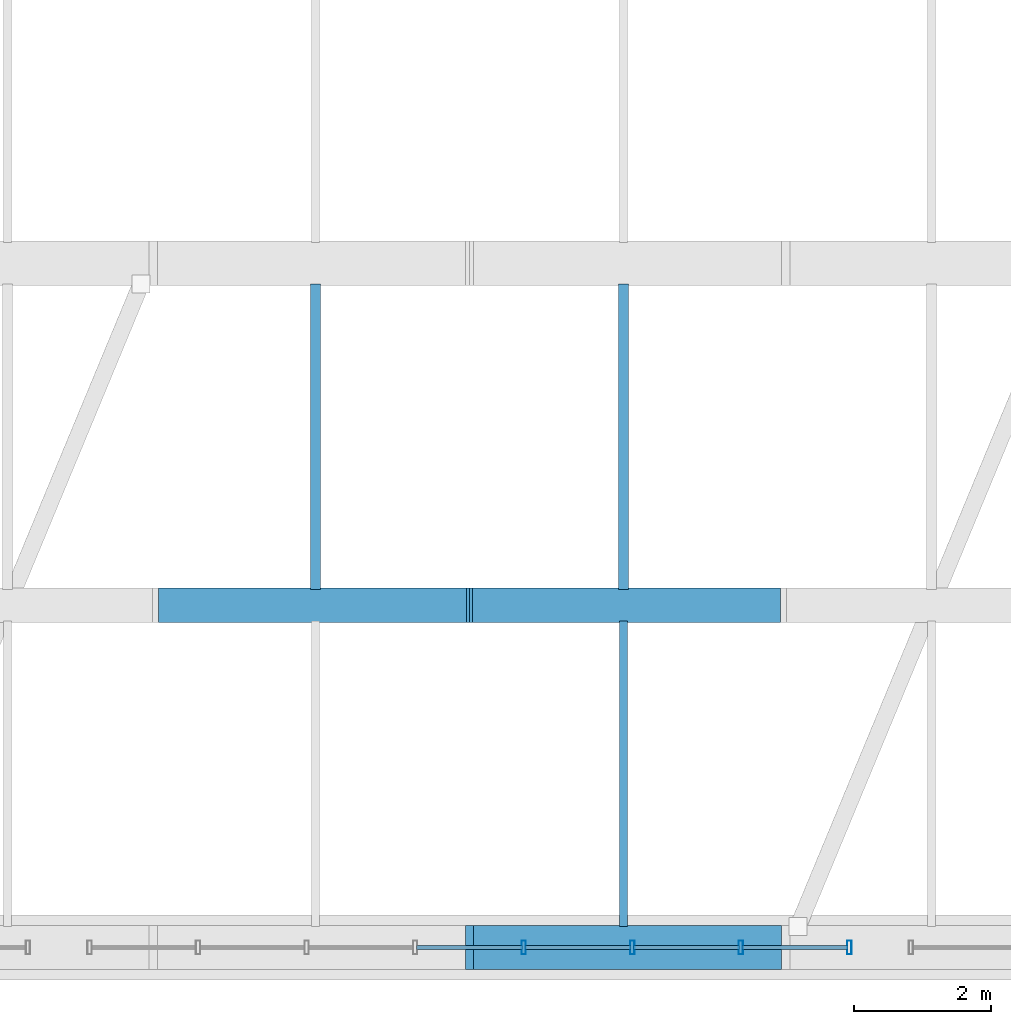
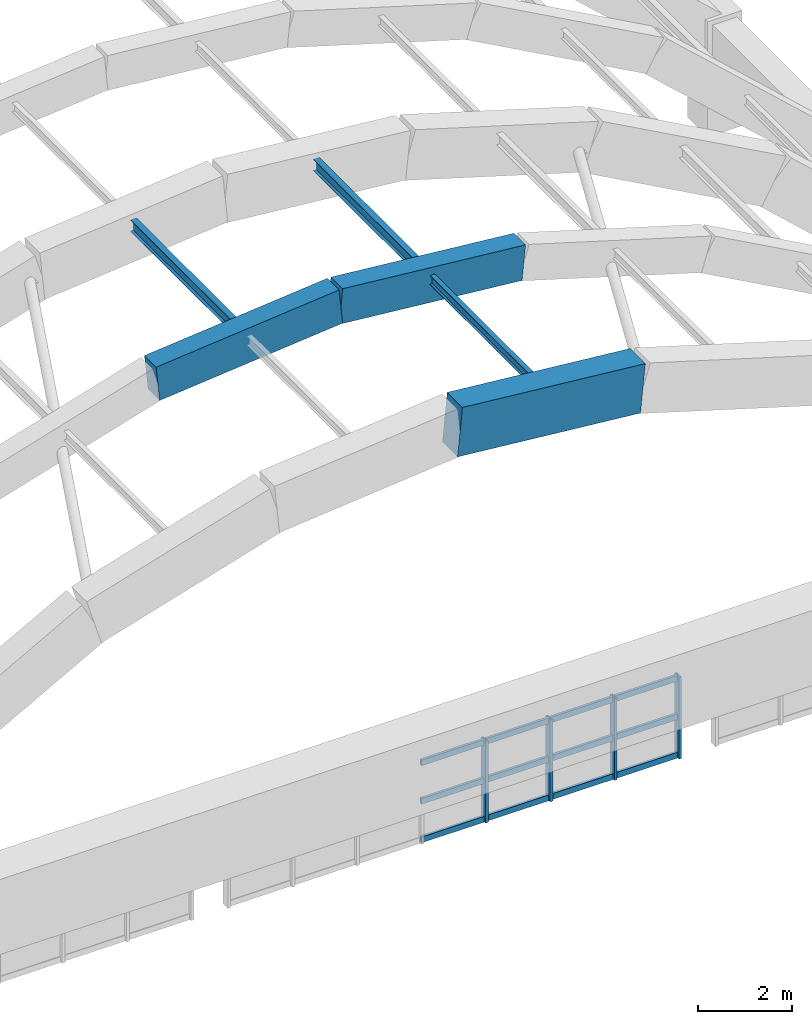
# One storey, part 66 of 111: 19 members, 3 beams, 1 element without a shape of its own.
"""IFC4 building model written with IfcOpenShell, lengths in metres."""

from ifc_helpers import new_model, si_unit, direction, frame, origin, origin_2d, place, context, subcontext, project, spatial, rectangle, hollow_rectangle, i_section, extrude, material, layer, layer_set, material_profile, profile_set, type_object, element, aggregate, save


model = new_model("IFC4")

# Units and contexts
model_context = context("Model", 3, precision=1e-05, world=origin(), true_north=direction((0.0, 1.0)))
body_context = subcontext(model_context, "Body", "Model", "MODEL_VIEW")
ifc_project = project(units=[si_unit("LENGTHUNIT", "METRE"), si_unit("AREAUNIT", "SQUARE_METRE"), si_unit("VOLUMEUNIT", "CUBIC_METRE"), si_unit("PLANEANGLEUNIT", "RADIAN"), si_unit("MASSUNIT", "GRAM", prefix="KILO")], contexts=[model_context])

# Site, building, storey
site_placement = place(None, origin())
site = spatial("IfcSite", under=ifc_project, at=site_placement, CompositionType="ELEMENT")
building_placement = place(site_placement, origin())
building = spatial("IfcBuilding", under=site, at=building_placement, Name="Mersad Railyard Sports Hall", CompositionType="ELEMENT")
storey_placement = place(building_placement, frame((0.0, 0.0, 9.0)))
storey = spatial("IfcBuildingStorey", under=building, at=storey_placement, Name="L02", CompositionType="ELEMENT", Elevation=9.0)

# Curtain wall, members
ifc_material_1 = material(Name="Aluminium 6063-T6", Category="aluminium")
ifc_layer = layer(ifc_material_1, 0.199951171875)
ifc_layer_set = layer_set([ifc_layer], Name="Aluminium 6063-T6")
curtain_wall_type = type_object("IfcCurtainWallType", Name="ARC-CW-CW13", PredefinedType="USERDEFINED", material=ifc_layer_set)
curtain_wall_placement = place(storey_placement, origin())
curtain_wall = element("IfcCurtainWall", 1, at=curtain_wall_placement, inside=storey, type_object=curtain_wall_type, Name="Curtain wall CW13-0040", ObjectType="CURTAIN WALL", PredefinedType="USERDEFINED")
ifc_material_profile_1 = material_profile(ifc_material_1, hollow_rectangle(XDim=0.06494140625, YDim=0.199951171875, WallThickness=0.0048828125, at=origin_2d()), Name="AL MULLION 65x200x5")
ifc_profile_set_1 = profile_set([ifc_material_profile_1], Name="Aluminium 6063-T6")
member_type_1 = type_object("IfcMemberType", Name="ARC-CW-MUL02", PredefinedType="MULLION", material=ifc_profile_set_1)
member_1_placement = place(storey_placement, frame((160.550048828125, 3.5, -0.02001953125), z_axis=(0.0, 0.0, 1.0), x_axis=(1.0, 0.0, 0.0)))
member_1 = element("IfcMember", 2, at=member_1_placement, type_object=member_type_1, Name="CW13 Mullion 1", PredefinedType="MULLION", context=body_context, shape_type="SweptSolid", body=[
    extrude(hollow_rectangle(XDim=0.06494140625, YDim=0.199951171875, WallThickness=0.0048828125, at=origin_2d()), origin(), (0.0, 0.0, 1.0), 2.1201171875),
])
member_2_placement = place(storey_placement, frame((158.96435546875, 3.5, -0.02001953125), z_axis=(0.0, 0.0, 1.0), x_axis=(1.0, 0.0, 0.0)))
member_2 = element("IfcMember", 3, at=member_2_placement, type_object=member_type_1, Name="CW13 Mullion 2", PredefinedType="MULLION", context=body_context, shape_type="SweptSolid", body=[
    extrude(hollow_rectangle(XDim=0.06494140625, YDim=0.199951171875, WallThickness=0.0048828125, at=origin_2d()), origin(), (0.0, 0.0, 1.0), 2.1201171875),
])
member_3_placement = place(storey_placement, frame((157.378662109375, 3.5, -0.02001953125), z_axis=(0.0, 0.0, 1.0), x_axis=(1.0, 0.0, 0.0)))
member_3 = element("IfcMember", 4, at=member_3_placement, type_object=member_type_1, Name="CW13 Mullion 3", PredefinedType="MULLION", context=body_context, shape_type="SweptSolid", body=[
    extrude(hollow_rectangle(XDim=0.06494140625, YDim=0.199951171875, WallThickness=0.0048828125, at=origin_2d()), origin(), (0.0, 0.0, 1.0), 2.1201171875),
])
member_4_placement = place(storey_placement, frame((155.79296875, 3.5, -0.02001953125), z_axis=(0.0, 0.0, 1.0), x_axis=(1.0, 0.0, 0.0)))
member_4 = element("IfcMember", 5, at=member_4_placement, type_object=member_type_1, Name="CW13 Mullion 4", PredefinedType="MULLION", context=body_context, shape_type="SweptSolid", body=[
    extrude(hollow_rectangle(XDim=0.06494140625, YDim=0.199951171875, WallThickness=0.0048828125, at=origin_2d()), origin(), (0.0, 0.0, 1.0), 2.1201171875),
])
ifc_material_profile_2 = material_profile(ifc_material_1, hollow_rectangle(XDim=0.06494140625, YDim=0.14990234375, WallThickness=0.00439453125, at=origin_2d()), Name="AL TRANSOM 65x150x4.5")
ifc_profile_set_2 = profile_set([ifc_material_profile_2], Name="Aluminium 6063-T6")
member_type_2 = type_object("IfcMemberType", Name="ARC-CW-TRN02", PredefinedType="USERDEFINED", material=ifc_profile_set_2)
member_5_placement = place(storey_placement, frame((160.530029296875, 3.5, 0.0400390625), z_axis=(-1.0, 0.0, 0.0), x_axis=(0.0, -1.0, 0.0)))
member_5 = element("IfcMember", 6, at=member_5_placement, type_object=member_type_2, Name="CW13 Transom 1-1", ObjectType="TRANSOM", PredefinedType="USERDEFINED", context=body_context, shape_type="SweptSolid", body=[
    extrude(hollow_rectangle(XDim=0.06494140625, YDim=0.14990234375, WallThickness=0.00439453125, at=origin_2d()), origin(), (0.0, 0.0, 1.0), 1.545654296875),
])
member_6_placement = place(storey_placement, frame((158.9443359375, 3.5, 0.0400390625), z_axis=(-1.0, 0.0, 0.0), x_axis=(0.0, -1.0, 0.0)))
member_6 = element("IfcMember", 7, at=member_6_placement, type_object=member_type_2, Name="CW13 Transom 1-2", ObjectType="TRANSOM", PredefinedType="USERDEFINED", context=body_context, shape_type="SweptSolid", body=[
    extrude(hollow_rectangle(XDim=0.06494140625, YDim=0.14990234375, WallThickness=0.00439453125, at=origin_2d()), origin(), (0.0, 0.0, 1.0), 1.545654296875),
])
member_7_placement = place(storey_placement, frame((157.358642578125, 3.5, 0.0400390625), z_axis=(-1.0, 0.0, 0.0), x_axis=(0.0, -1.0, 0.0)))
member_7 = element("IfcMember", 8, at=member_7_placement, type_object=member_type_2, Name="CW13 Transom 1-3", ObjectType="TRANSOM", PredefinedType="USERDEFINED", context=body_context, shape_type="SweptSolid", body=[
    extrude(hollow_rectangle(XDim=0.06494140625, YDim=0.14990234375, WallThickness=0.00439453125, at=origin_2d()), origin(), (0.0, 0.0, 1.0), 1.5458984375),
])
member_8_placement = place(storey_placement, frame((155.77294921875, 3.5, 0.0400390625), z_axis=(-1.0, 0.0, 0.0), x_axis=(0.0, -1.0, 0.0)))
member_8 = element("IfcMember", 9, at=member_8_placement, type_object=member_type_2, Name="CW13 Transom 1-4", ObjectType="TRANSOM", PredefinedType="USERDEFINED", context=body_context, shape_type="SweptSolid", body=[
    extrude(hollow_rectangle(XDim=0.06494140625, YDim=0.14990234375, WallThickness=0.00439453125, at=origin_2d()), origin(), (0.0, 0.0, 1.0), 1.5458984375),
])
member_9_placement = place(storey_placement, frame((160.530029296875, 3.5, 1.0400390625), z_axis=(-1.0, 0.0, 0.0), x_axis=(0.0, -1.0, 0.0)))
member_9 = element("IfcMember", 10, at=member_9_placement, type_object=member_type_2, Name="CW13 Transom 2-1", ObjectType="TRANSOM", PredefinedType="USERDEFINED", context=body_context, shape_type="SweptSolid", body=[
    extrude(hollow_rectangle(XDim=0.06494140625, YDim=0.14990234375, WallThickness=0.00439453125, at=origin_2d()), origin(), (0.0, 0.0, 1.0), 1.545654296875),
])
member_10_placement = place(storey_placement, frame((158.9443359375, 3.5, 1.0400390625), z_axis=(-1.0, 0.0, 0.0), x_axis=(0.0, -1.0, 0.0)))
member_10 = element("IfcMember", 11, at=member_10_placement, type_object=member_type_2, Name="CW13 Transom 2-2", ObjectType="TRANSOM", PredefinedType="USERDEFINED", context=body_context, shape_type="SweptSolid", body=[
    extrude(hollow_rectangle(XDim=0.06494140625, YDim=0.14990234375, WallThickness=0.00439453125, at=origin_2d()), origin(), (0.0, 0.0, 1.0), 1.545654296875),
])
member_11_placement = place(storey_placement, frame((157.358642578125, 3.5, 1.0400390625), z_axis=(-1.0, 0.0, 0.0), x_axis=(0.0, -1.0, 0.0)))
member_11 = element("IfcMember", 12, at=member_11_placement, type_object=member_type_2, Name="CW13 Transom 2-3", ObjectType="TRANSOM", PredefinedType="USERDEFINED", context=body_context, shape_type="SweptSolid", body=[
    extrude(hollow_rectangle(XDim=0.06494140625, YDim=0.14990234375, WallThickness=0.00439453125, at=origin_2d()), origin(), (0.0, 0.0, 1.0), 1.5458984375),
])
member_12_placement = place(storey_placement, frame((155.77294921875, 3.5, 1.0400390625), z_axis=(-1.0, 0.0, 0.0), x_axis=(0.0, -1.0, 0.0)))
member_12 = element("IfcMember", 13, at=member_12_placement, type_object=member_type_2, Name="CW13 Transom 2-4", ObjectType="TRANSOM", PredefinedType="USERDEFINED", context=body_context, shape_type="SweptSolid", body=[
    extrude(hollow_rectangle(XDim=0.06494140625, YDim=0.14990234375, WallThickness=0.00439453125, at=origin_2d()), origin(), (0.0, 0.0, 1.0), 1.5458984375),
])
member_13_placement = place(storey_placement, frame((160.530029296875, 3.5, 2.0400390625), z_axis=(-1.0, 0.0, 0.0), x_axis=(0.0, -1.0, 0.0)))
member_13 = element("IfcMember", 14, at=member_13_placement, type_object=member_type_2, Name="CW13 Transom 3-1", ObjectType="TRANSOM", PredefinedType="USERDEFINED", context=body_context, shape_type="SweptSolid", body=[
    extrude(hollow_rectangle(XDim=0.06494140625, YDim=0.14990234375, WallThickness=0.00439453125, at=origin_2d()), origin(), (0.0, 0.0, 1.0), 1.545654296875),
])
member_14_placement = place(storey_placement, frame((158.9443359375, 3.5, 2.0400390625), z_axis=(-1.0, 0.0, 0.0), x_axis=(0.0, -1.0, 0.0)))
member_14 = element("IfcMember", 15, at=member_14_placement, type_object=member_type_2, Name="CW13 Transom 3-2", ObjectType="TRANSOM", PredefinedType="USERDEFINED", context=body_context, shape_type="SweptSolid", body=[
    extrude(hollow_rectangle(XDim=0.06494140625, YDim=0.14990234375, WallThickness=0.00439453125, at=origin_2d()), origin(), (0.0, 0.0, 1.0), 1.545654296875),
])
member_15_placement = place(storey_placement, frame((157.358642578125, 3.5, 2.0400390625), z_axis=(-1.0, 0.0, 0.0), x_axis=(0.0, -1.0, 0.0)))
member_15 = element("IfcMember", 16, at=member_15_placement, type_object=member_type_2, Name="CW13 Transom 3-3", ObjectType="TRANSOM", PredefinedType="USERDEFINED", context=body_context, shape_type="SweptSolid", body=[
    extrude(hollow_rectangle(XDim=0.06494140625, YDim=0.14990234375, WallThickness=0.00439453125, at=origin_2d()), origin(), (0.0, 0.0, 1.0), 1.5458984375),
])
member_16_placement = place(storey_placement, frame((155.77294921875, 3.5, 2.0400390625), z_axis=(-1.0, 0.0, 0.0), x_axis=(0.0, -1.0, 0.0)))
member_16 = element("IfcMember", 17, at=member_16_placement, type_object=member_type_2, Name="CW13 Transom 3-4", ObjectType="TRANSOM", PredefinedType="USERDEFINED", context=body_context, shape_type="SweptSolid", body=[
    extrude(hollow_rectangle(XDim=0.06494140625, YDim=0.14990234375, WallThickness=0.00439453125, at=origin_2d()), origin(), (0.0, 0.0, 1.0), 1.5458984375),
])
aggregate(curtain_wall, [member_1, member_2, member_3, member_4, member_5, member_6, member_7, member_8, member_9, member_10, member_11, member_12, member_13, member_14, member_15, member_16])

# Beams
ifc_material_2 = material(Name="Architectural concrete C50/60", Category="concrete")
ifc_material_profile_3 = material_profile(ifc_material_2, rectangle(XDim=0.64990234375, YDim=1.25, at=origin_2d()), Name="VR 650x1250")
ifc_profile_set_3 = profile_set([ifc_material_profile_3], Name="Architectural concrete C50/60")
beam_type_1 = type_object("IfcBeamType", Name="STR-BM-VR01", PredefinedType="BEAM", material=ifc_profile_set_3)
beam_placement = place(storey_placement, frame((155.0, 3.5, 10.550048828125), z_axis=(0.995353854101, 0.0, -0.096284500969), x_axis=(0.0, 1.0, 0.0)))
element("IfcBeam", 18, at=beam_placement, inside=storey, type_object=beam_type_1, Name="Beam VR01-0725", PredefinedType="BEAM", context=body_context, shape_type="SweptSolid", body=[
    extrude(rectangle(XDim=0.64990234375, YDim=1.25, at=origin_2d()), origin(), (0.0, 0.0, 1.0), 4.52099609375),
])
ifc_material_profile_4 = material_profile(ifc_material_2, rectangle(XDim=0.5, YDim=0.89990234375, at=origin_2d()), Name="VR 500x900")
ifc_profile_set_4 = profile_set([ifc_material_profile_4], Name="Architectural concrete C50/60")
beam_type_2 = type_object("IfcBeamType", Name="STR-BM-VR02", PredefinedType="BEAM", material=ifc_profile_set_4)
for number, where, z_axis, x_axis, name in (
    (19, (150.5, 8.5, 10.304931640625), (0.99535902803, 0.0, 0.09623099978), (0.0, 1.0, 0.0), "Beam VR02-0732"),
    (20, (155.0, 8.5, 10.739990234375), (0.99535902803, 0.0, -0.09623099978), (0.0, 1.0, 0.0), "Beam VR02-0733"),
):
    element("IfcBeam", number, at=place(storey_placement, frame(where, z_axis=z_axis, x_axis=x_axis)), inside=storey, type_object=beam_type_2, Name=name, PredefinedType="BEAM", context=body_context, shape_type="SweptSolid", body=[
        extrude(rectangle(XDim=0.5, YDim=0.89990234375, at=origin_2d()), origin(), (0.0, 0.0, 1.0), 4.52099609375),
    ])

# Members
ifc_material_3 = material(Name="Steel S355", Category="steel")
ifc_material_profile_5 = material_profile(ifc_material_3, i_section(OverallWidth=0.1201171875, OverallDepth=0.239990234375, WebThickness=0.006103515625, FlangeThickness=0.009765625, at=origin_2d()), Name="IPE 240")
ifc_profile_set_5 = profile_set([ifc_material_profile_5], Name="Steel S355")
member_type_3 = type_object("IfcMemberType", Name="STR-MEM-PU01", PredefinedType="PURLIN", material=ifc_profile_set_5)
member_17_placement = place(storey_placement, frame((157.25, 3.804931640625, 10.662353515625), z_axis=(0.0, 1.0, 0.0), x_axis=(-1.0, 0.0, 0.0)))
element("IfcMember", 21, at=member_17_placement, inside=storey, type_object=member_type_3, Name="Structural member PU01-0102", PredefinedType="PURLIN", context=body_context, shape_type="SweptSolid", body=[
    extrude(i_section(OverallWidth=0.1201171875, OverallDepth=0.239990234375, WebThickness=0.006103515625, FlangeThickness=0.009765625, at=origin_2d()), origin(), (0.0, 0.0, 1.0), 4.465087890625),
])
ifc_material_profile_6 = material_profile(ifc_material_3, i_section(OverallWidth=0.14990234375, OverallDepth=0.300048828125, WebThickness=0.007080078125, FlangeThickness=0.0107421875, at=origin_2d()), Name="IPE 300")
ifc_profile_set_6 = profile_set([ifc_material_profile_6], Name="Steel S355")
member_type_4 = type_object("IfcMemberType", Name="STR-MEM-PU02", PredefinedType="PURLIN", material=ifc_profile_set_6)
for number, where, z_axis, x_axis, name in (
    (22, (152.75, 8.72998046875, 10.662353515625), (0.0, 1.0, 0.0), (-1.0, 0.0, 0.0), "Structural member PU02-0101"),
    (23, (157.25, 8.72998046875, 10.662353515625), (0.0, 1.0, 0.0), (-1.0, 0.0, 0.0), "Structural member PU02-0103"),
):
    element("IfcMember", number, at=place(storey_placement, frame(where, z_axis=z_axis, x_axis=x_axis)), inside=storey, type_object=member_type_4, Name=name, PredefinedType="PURLIN", context=body_context, shape_type="SweptSolid", body=[
        extrude(i_section(OverallWidth=0.14990234375, OverallDepth=0.300048828125, WebThickness=0.007080078125, FlangeThickness=0.0107421875, at=origin_2d()), origin(), (0.0, 0.0, 1.0), 4.465087890625),
    ])

save(model, "model.ifc")
